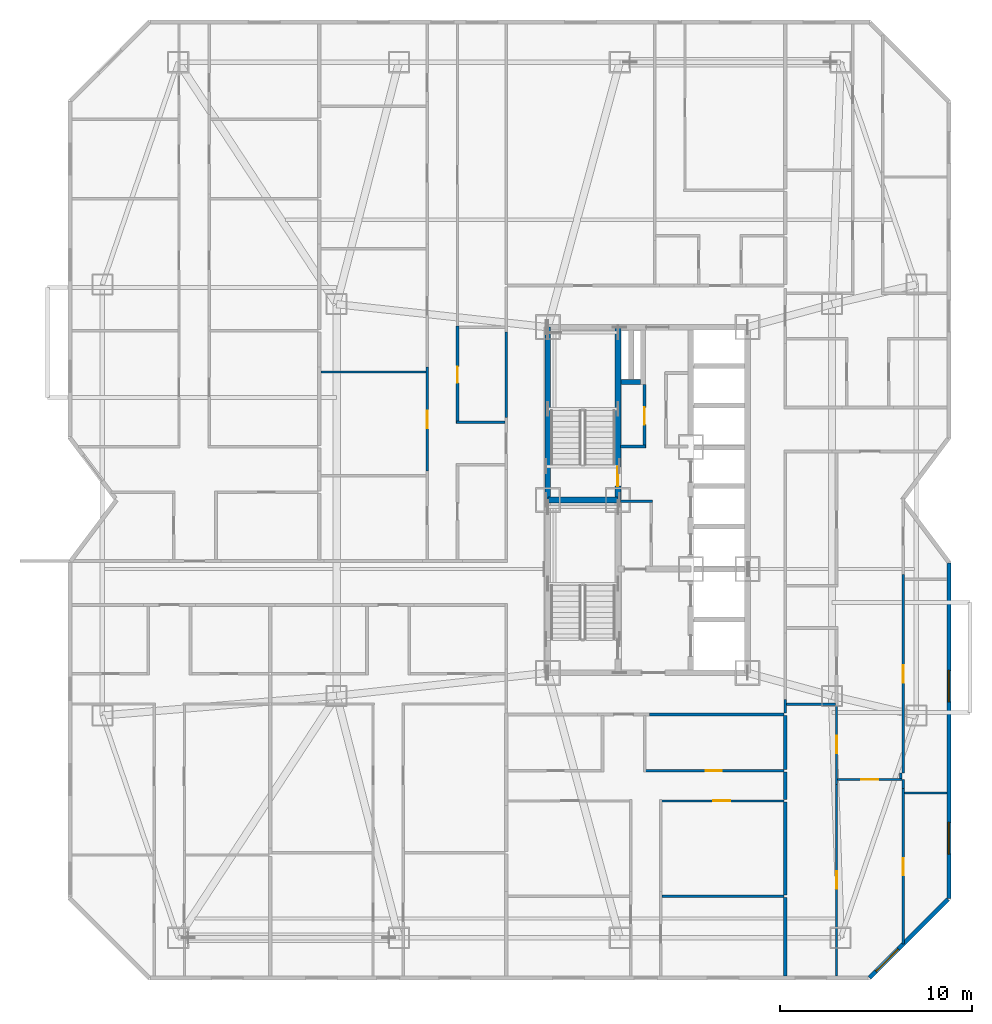
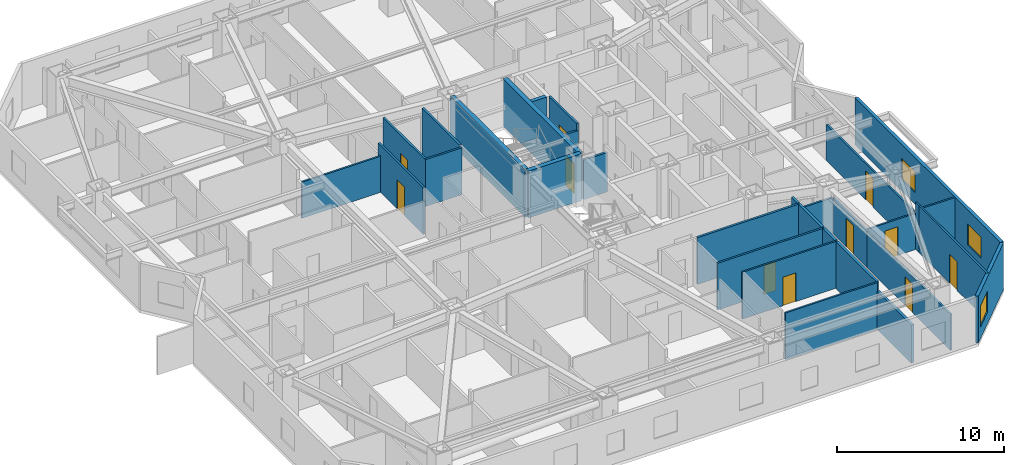
# One storey, part 9 of 14: 32 walls, 11 doors, 3 windows, 14 openings.
"""IFC4 building model written with IfcOpenShell, lengths in metres."""

from ifc_helpers import new_model, si_unit, direction, frame, frame_2d, origin, place, context, subcontext, project, spatial, rectangle, extrude, material, layer, layer_set, type_object, element, fill, save


model = new_model("IFC4")

# Units and contexts
model_context = context("Model", 3, precision=1e-05, world=origin(), true_north=direction((0.0, 1.0)))
body_context = subcontext(model_context, "Body", "Model", "MODEL_VIEW")
ifc_project = project(units=[si_unit("LENGTHUNIT", "METRE"), si_unit("AREAUNIT", "SQUARE_METRE"), si_unit("VOLUMEUNIT", "CUBIC_METRE"), si_unit("PLANEANGLEUNIT", "RADIAN"), si_unit("MASSUNIT", "GRAM", prefix="KILO")], contexts=[model_context])

# Site, building, storey
site_placement = place(None, origin())
site = spatial("IfcSite", under=ifc_project, at=site_placement, CompositionType="ELEMENT")
building_placement = place(site_placement, origin())
building = spatial("IfcBuilding", under=site, at=building_placement, Name="Khamvora Tower", CompositionType="ELEMENT")
storey_placement = place(building_placement, frame((0.0, 0.0, 51.550048828125)))
storey = spatial("IfcBuildingStorey", under=building, at=storey_placement, Name="L12", CompositionType="ELEMENT", Elevation=51.550048828125)

# Wall
ifc_material_1 = material(Name="Concrete C50/60", Category="concrete")
ifc_layer_1 = layer(ifc_material_1, 0.300048828125)
ifc_layer_set_1 = layer_set([ifc_layer_1], Name="Concrete C50/60")
wall_type_1 = type_object("IfcWallType", Name="WAL-CORE-300", PredefinedType="SHEAR", material=ifc_layer_set_1)
wall_1_placement = place(storey_placement, frame((29.0, 28.0, 0.0), z_axis=(0.0, 0.0, 1.0), x_axis=(0.0, 1.0, 0.0)))
element("IfcWall", 1, at=wall_1_placement, inside=storey, type_object=wall_type_1, Name="L12 central core west north wall", PredefinedType="SHEAR", context=body_context, shape_type="SweptSolid", body=[
    extrude(rectangle(XDim=9.0, YDim=0.300048828125, at=frame_2d((4.5, 0.0))), origin(), (0.0, 0.0, 1.0), 3.429931640625),
])

# Wall, opening, door
wall_2_placement = place(storey_placement, frame((32.64990234375, 28.0, 0.0), z_axis=(0.0, 0.0, 1.0), x_axis=(0.0, 1.0, 0.0)))
wall_2 = element("IfcWall", 2, at=wall_2_placement, inside=storey, type_object=wall_type_1, Name="L12 central core stair north spine wall", PredefinedType="SHEAR", context=body_context, shape_type="SweptSolid", body=[
    extrude(rectangle(XDim=9.0, YDim=0.300048828125, at=frame_2d((4.5, 0.0))), origin(), (0.0, 0.0, 1.0), 3.429931640625),
])
opening_1_placement = place(wall_2_placement, frame((0.719970703125, 0.0, 0.0)))
opening_1 = element("IfcOpeningElement", 3, at=opening_1_placement, cuts=wall_2, Name="Opening D-ST1", PredefinedType="OPENING", context=body_context, shape_type="SweptSolid", body=[
    extrude(rectangle(XDim=1.0, YDim=2.14990234375, at=frame_2d((0.5, 1.074951171875))), frame((0.0, 0.159912109375, 0.0), z_axis=(0.0, -1.0, 0.0), x_axis=(1.0, 0.0, 0.0)), (0.0, 0.0, 1.0), 0.320068359375),
])
ifc_material_2 = material(Name="Powder-Coated Steel and Hardwood Leaf", Category="steel")
door_type_1 = type_object("IfcDoorType", Name="DOR-STAIR-1000", OperationType="NOTDEFINED", PredefinedType="DOOR", material=ifc_material_2)
door_1_placement = place(opening_1_placement, origin())
door_1 = element("IfcDoor", 4, at=door_1_placement, inside=storey, type_object=door_type_1, Name="L12 exit stair ST-02 fire door", OperationType="SINGLE_SWING_RIGHT", OverallHeight=2.14990234375, OverallWidth=1.0, PredefinedType="DOOR", context=body_context, shape_type="SweptSolid", body=[
    extrude(rectangle(XDim=1.0, YDim=2.14990234375, at=frame_2d((0.5, 1.074951171875))), frame((0.0, 0.02490234375, 0.0), z_axis=(0.0, -1.0, 0.0), x_axis=(1.0, 0.0, 0.0)), (0.0, 0.0, 1.0), 0.050048828125),
])
fill(opening_1, door_1)

# Walls
wall_3_placement = place(storey_placement, frame((29.0, 28.0, 0.0), z_axis=(0.0, 0.0, 1.0), x_axis=(1.0, 0.0, 0.0)))
element("IfcWall", 5, at=wall_3_placement, inside=storey, type_object=wall_type_1, Name="L12 central core stair cross wall", PredefinedType="SHEAR", context=body_context, shape_type="SweptSolid", body=[
    extrude(rectangle(XDim=3.64990234375, YDim=0.300048828125, at=frame_2d((1.824951171875, 0.0))), origin(), (0.0, 0.0, 1.0), 3.429931640625),
])
ifc_material_3 = material(Name="Fire-Rated Drywall and Steel Stud", Category="steel")
ifc_layer_2 = layer(ifc_material_3, 0.14990234375)
ifc_layer_set_2 = layer_set([ifc_layer_2], Name="Fire-Rated Drywall and Steel Stud")
wall_type_2 = type_object("IfcWallType", Name="WAL-CORR-150", PredefinedType="STANDARD", material=ifc_layer_set_2)
wall_4_placement = place(storey_placement, frame((32.7939453125, 30.784912109375, 0.0), z_axis=(0.0, 0.0, 1.0), x_axis=(1.0, 0.0, 0.0)))
element("IfcWall", 6, at=wall_4_placement, inside=storey, type_object=wall_type_2, Name="L12 interior partition wall 004", PredefinedType="STANDARD", context=body_context, shape_type="SweptSolid", body=[
    extrude(rectangle(XDim=1.30615234375, YDim=0.14990234375, at=frame_2d((0.653076171875, 0.0))), origin(), (0.0, 0.0, 1.0), 2.886962890625),
])

# Wall, opening, door
wall_5_placement = place(storey_placement, frame((34.034912109375, 30.719970703125, 0.0), z_axis=(0.0, 0.0, 1.0), x_axis=(0.0, 1.0, 0.0)))
wall_5 = element("IfcWall", 7, at=wall_5_placement, inside=storey, type_object=wall_type_2, Name="L12 interior partition wall 005", PredefinedType="STANDARD", context=body_context, shape_type="SweptSolid", body=[
    extrude(rectangle(XDim=3.300048828125, YDim=0.14990234375, at=frame_2d((1.64990234375, 0.0))), origin(), (0.0, 0.0, 1.0), 3.429931640625),
])
opening_2_placement = place(wall_5_placement, frame((1.199951171875, 0.0, 0.0)))
opening_2 = element("IfcOpeningElement", 8, at=opening_2_placement, cuts=wall_5, Name="Opening D-RM1", PredefinedType="OPENING", context=body_context, shape_type="SweptSolid", body=[
    extrude(rectangle(XDim=0.89990234375, YDim=2.10009765625, at=frame_2d((0.449951171875, 1.050048828125))), frame((0.0, 0.0849609375, 0.0), z_axis=(0.0, -1.0, 0.0), x_axis=(1.0, 0.0, 0.0)), (0.0, 0.0, 1.0), 0.169921875),
])
door_type_2 = type_object("IfcDoorType", Name="DOR-ROOM-900", OperationType="NOTDEFINED", PredefinedType="DOOR", material=ifc_material_2)
door_2_placement = place(opening_2_placement, origin())
door_2 = element("IfcDoor", 9, at=door_2_placement, inside=storey, type_object=door_type_2, Name="L12 interior door PLL-CS2", OperationType="SINGLE_SWING_LEFT", OverallHeight=2.10009765625, OverallWidth=0.89990234375, PredefinedType="DOOR", context=body_context, shape_type="SweptSolid", body=[
    extrude(rectangle(XDim=0.89990234375, YDim=2.10009765625, at=frame_2d((0.449951171875, 1.050048828125))), frame((0.0, 0.02490234375, 0.0), z_axis=(0.0, -1.0, 0.0), x_axis=(1.0, 0.0, 0.0)), (0.0, 0.0, 1.0), 0.050048828125),
])
fill(opening_2, door_2)

# Walls
wall_6_placement = place(storey_placement, frame((34.449951171875, 27.93505859375, 0.0), z_axis=(0.0, 0.0, 1.0), x_axis=(-1.0, 0.0, 0.0)))
element("IfcWall", 10, at=wall_6_placement, inside=storey, type_object=wall_type_2, Name="L12 interior partition wall 007", PredefinedType="STANDARD", context=body_context, shape_type="SweptSolid", body=[
    extrude(rectangle(XDim=1.656005859375, YDim=0.14990234375, at=frame_2d((0.828125, 0.0))), origin(), (0.0, 0.0, 1.0), 2.886962890625),
])
wall_7_placement = place(storey_placement, frame((26.8349609375, 32.2900390625, 0.0), z_axis=(0.0, 0.0, 1.0), x_axis=(0.0, 1.0, 0.0)))
element("IfcWall", 11, at=wall_7_placement, inside=storey, type_object=wall_type_2, Name="L12 interior partition wall 024", PredefinedType="STANDARD", context=body_context, shape_type="SweptSolid", body=[
    extrude(rectangle(XDim=4.467041015625, YDim=0.14990234375, at=frame_2d((2.2333984375, 0.0))), origin(), (0.0, 0.0, 1.0), 3.429931640625),
])
wall_8_placement = place(storey_placement, frame((41.300048828125, 16.8349609375, 0.0), z_axis=(0.0, 0.0, 1.0), x_axis=(-1.0, 0.0, 0.0)))
element("IfcWall", 12, at=wall_8_placement, inside=storey, type_object=wall_type_2, Name="L12 interior partition wall 030", PredefinedType="STANDARD", context=body_context, shape_type="SweptSolid", body=[
    extrude(rectangle(XDim=7.0009765625, YDim=0.14990234375, at=frame_2d((3.50048828125, 0.0))), origin(), (0.0, 0.0, 1.0), 3.429931640625),
])
wall_9_placement = place(storey_placement, frame((41.364990234375, 17.617919921875, 0.0), z_axis=(0.0, 0.0, 1.0), x_axis=(0.0, -1.0, 0.0)))
element("IfcWall", 13, at=wall_9_placement, inside=storey, type_object=wall_type_2, Name="L12 interior partition wall 034", PredefinedType="STANDARD", context=body_context, shape_type="SweptSolid", body=[
    extrude(rectangle(XDim=0.718017578125, YDim=0.14990234375, at=frame_2d((0.35888671875, 0.0))), origin(), (0.0, 0.0, 1.0), 3.429931640625),
])
ifc_material_4 = material(Name="Acoustic Double-Stud Fire Wall", Category="gypsum")
ifc_layer_3 = layer(ifc_material_4, 0.179931640625)
ifc_layer_set_3 = layer_set([ifc_layer_3], Name="Acoustic Double-Stud Fire Wall")
wall_type_3 = type_object("IfcWallType", Name="WAL-CORR-180", PredefinedType="STANDARD", material=ifc_layer_set_3)
wall_10_placement = place(storey_placement, frame((41.364990234375, 13.841064453125, 0.0), z_axis=(0.0, 0.0, 1.0), x_axis=(0.0, -1.0, 0.0)))
element("IfcWall", 14, at=wall_10_placement, inside=storey, type_object=wall_type_3, Name="L12 interior partition wall 137", PredefinedType="STANDARD", context=body_context, shape_type="SweptSolid", body=[
    extrude(rectangle(XDim=1.449951171875, YDim=0.179931640625, at=frame_2d((0.72509765625, 0.0))), origin(), (0.0, 0.0, 1.0), 3.429931640625),
])
wall_11_placement = place(storey_placement, frame((41.364990234375, 16.77001953125, 0.0), z_axis=(0.0, 0.0, 1.0), x_axis=(0.0, -1.0, 0.0)))
element("IfcWall", 15, at=wall_11_placement, inside=storey, type_object=wall_type_3, Name="L12 interior partition wall 138", PredefinedType="STANDARD", context=body_context, shape_type="SweptSolid", body=[
    extrude(rectangle(XDim=2.799072265625, YDim=0.179931640625, at=frame_2d((1.3994140625, 0.0))), origin(), (0.0, 0.0, 1.0), 3.429931640625),
])
wall_12_placement = place(storey_placement, frame((41.364990234375, 7.2958984375, 0.0), z_axis=(0.0, 0.0, 1.0), x_axis=(0.0, -1.0, 0.0)))
element("IfcWall", 16, at=wall_12_placement, inside=storey, type_object=wall_type_3, Name="L12 interior partition wall 141", PredefinedType="STANDARD", context=body_context, shape_type="SweptSolid", body=[
    extrude(rectangle(XDim=4.083984375, YDim=0.179931640625, at=frame_2d((2.0419921875, 0.0))), origin(), (0.0, 0.0, 1.0), 2.802978515625),
])
wall_13_placement = place(storey_placement, frame((41.364990234375, 12.260986328125, 0.0), z_axis=(0.0, 0.0, 1.0), x_axis=(0.0, -1.0, 0.0)))
element("IfcWall", 17, at=wall_13_placement, inside=storey, type_object=wall_type_3, Name="L12 interior partition wall 142", PredefinedType="STANDARD", context=body_context, shape_type="SweptSolid", body=[
    extrude(rectangle(XDim=4.8349609375, YDim=0.179931640625, at=frame_2d((2.41748046875, 0.0))), origin(), (0.0, 0.0, 1.0), 3.429931640625),
])

# Wall, openings, windows
ifc_material_5 = material(Name="Precast concrete C40/50", Category="concrete")
ifc_layer_4 = layer(ifc_material_5, 0.219970703125)
ifc_layer_set_4 = layer_set([ifc_layer_4], Name="Precast concrete C40/50")
wall_type_4 = type_object("IfcWallType", Name="WAL-EXT-220", PredefinedType="STANDARD", material=ifc_layer_set_4)
wall_14_placement = place(storey_placement, frame((49.889892578125, 24.70703125, 0.0), z_axis=(0.0, 0.0, 1.0), x_axis=(0.0, -1.0, 0.0)))
wall_14 = element("IfcWall", 18, at=wall_14_placement, inside=storey, type_object=wall_type_4, Name="L12 exterior facade wall 12.1", PredefinedType="STANDARD", context=body_context, shape_type="SweptSolid", body=[
    extrude(rectangle(XDim=17.4609375, YDim=0.219970703125, at=frame_2d((8.73046875, 0.0))), origin(), (0.0, 0.0, 1.0), 3.429931640625),
])
opening_3_placement = place(wall_14_placement, frame((13.4990234375, 0.0, 0.85009765625)))
opening_3 = element("IfcOpeningElement", 19, at=opening_3_placement, cuts=wall_14, Name="Opening WN-06", PredefinedType="OPENING", context=body_context, shape_type="SweptSolid", body=[
    extrude(rectangle(XDim=1.64990234375, YDim=1.550048828125, at=frame_2d((0.824951171875, 0.77490234375))), frame((0.0, 0.119873046875, 0.0), z_axis=(0.0, -1.0, 0.0), x_axis=(1.0, 0.0, 0.0)), (0.0, 0.0, 1.0), 0.239990234375),
])
opening_4_placement = place(wall_14_placement, frame((5.575927734375, 0.0, 0.85009765625)))
opening_4 = element("IfcOpeningElement", 20, at=opening_4_placement, cuts=wall_14, Name="Opening WN-06", PredefinedType="OPENING", context=body_context, shape_type="SweptSolid", body=[
    extrude(rectangle(XDim=1.64990234375, YDim=1.550048828125, at=frame_2d((0.824951171875, 0.77490234375))), frame((0.0, 0.119873046875, 0.0), z_axis=(0.0, -1.0, 0.0), x_axis=(1.0, 0.0, 0.0)), (0.0, 0.0, 1.0), 0.239990234375),
])
ifc_material_6 = material(Name="Low-E Laminated Double Glazing", Category="glass")
window_type = type_object("IfcWindowType", Name="WIN-VIS-1650x1550", PartitioningType="SINGLE_PANEL", PredefinedType="WINDOW", material=ifc_material_6)
window_1_placement = place(opening_3_placement, origin())
window_1 = element("IfcWindow", 21, at=window_1_placement, inside=storey, type_object=window_type, Name="L12 vision window 12.1.01", OverallHeight=1.550048828125, OverallWidth=1.64990234375, PartitioningType="SINGLE_PANEL", PredefinedType="WINDOW", context=body_context, shape_type="SweptSolid", body=[
    extrude(rectangle(XDim=1.64990234375, YDim=1.550048828125, at=frame_2d((0.824951171875, 0.77490234375))), frame((0.0, 0.030029296875, 0.0), z_axis=(0.0, -1.0, 0.0), x_axis=(1.0, 0.0, 0.0)), (0.0, 0.0, 1.0), 0.06005859375),
])
fill(opening_3, window_1)
window_2_placement = place(opening_4_placement, origin())
window_2 = element("IfcWindow", 22, at=window_2_placement, inside=storey, type_object=window_type, Name="L12 vision window 12.1.02", OverallHeight=1.550048828125, OverallWidth=1.64990234375, PartitioningType="SINGLE_PANEL", PredefinedType="WINDOW", context=body_context, shape_type="SweptSolid", body=[
    extrude(rectangle(XDim=1.64990234375, YDim=1.550048828125, at=frame_2d((0.824951171875, 0.77490234375))), frame((0.0, 0.030029296875, 0.0), z_axis=(0.0, -1.0, 0.0), x_axis=(1.0, 0.0, 0.0)), (0.0, 0.0, 1.0), 0.06005859375),
])
fill(opening_4, window_2)

# Wall, opening, window
wall_15_placement = place(storey_placement, frame((49.840087890625, 7.196044921875, 0.0), z_axis=(0.0, 0.0, 1.0), x_axis=(-0.707127905562, -0.70708565618, 0.0)))
wall_15 = element("IfcWall", 23, at=wall_15_placement, inside=storey, type_object=wall_type_4, Name="L12 exterior facade wall 13.1", PredefinedType="STANDARD", context=body_context, shape_type="SweptSolid", body=[
    extrude(rectangle(XDim=5.778564453125, YDim=0.219970703125, at=frame_2d((2.88916015625, 0.0))), origin(), (0.0, 0.0, 1.0), 3.429931640625),
])
opening_5_placement = place(wall_15_placement, frame((3.65087890625, 0.0, 0.85009765625)))
opening_5 = element("IfcOpeningElement", 24, at=opening_5_placement, cuts=wall_15, Name="Opening WN-06", PredefinedType="OPENING", context=body_context, shape_type="SweptSolid", body=[
    extrude(rectangle(XDim=1.64990234375, YDim=1.550048828125, at=frame_2d((0.824951171875, 0.77490234375))), frame((0.0, 0.119873046875, 0.0), z_axis=(0.0, -1.0, 0.0), x_axis=(1.0, 0.0, 0.0)), (0.0, 0.0, 1.0), 0.239990234375),
])
window_3_placement = place(opening_5_placement, origin())
window_3 = element("IfcWindow", 25, at=window_3_placement, inside=storey, type_object=window_type, Name="L12 vision window 13.1.01", OverallHeight=1.550048828125, OverallWidth=1.64990234375, PartitioningType="SINGLE_PANEL", PredefinedType="WINDOW", context=body_context, shape_type="SweptSolid", body=[
    extrude(rectangle(XDim=1.64990234375, YDim=1.550048828125, at=frame_2d((0.824951171875, 0.77490234375))), frame((0.0, 0.030029296875, 0.0), z_axis=(0.0, -1.0, 0.0), x_axis=(1.0, 0.0, 0.0)), (0.0, 0.0, 1.0), 0.06005859375),
])
fill(opening_5, window_3)

# Wall, opening, door
ifc_material_7 = material(Name="Gypsum Plasterboard Partition", Category="gypsum")
ifc_layer_5 = layer(ifc_material_7, 0.1201171875)
ifc_layer_set_5 = layer_set([ifc_layer_5], Name="Gypsum Plasterboard Partition")
wall_type_5 = type_object("IfcWallType", Name="WAL-PART-120", PredefinedType="PARTITIONING", material=ifc_layer_set_5)
wall_16_placement = place(storey_placement, frame((22.717041015625, 29.51904296875, 0.0), z_axis=(0.0, 0.0, 1.0), x_axis=(0.0, 1.0, 0.0)))
wall_16 = element("IfcWall", 26, at=wall_16_placement, inside=storey, type_object=wall_type_5, Name="L12 interior partition wall 119", PredefinedType="PARTITIONING", context=body_context, shape_type="SweptSolid", body=[
    extrude(rectangle(XDim=5.39990234375, YDim=0.1201171875, at=frame_2d((2.699951171875, 0.0))), origin(), (0.0, 0.0, 1.0), 3.429931640625),
])
opening_6_placement = place(wall_16_placement, frame((2.22900390625, 0.0, 0.0)))
opening_6 = element("IfcOpeningElement", 27, at=opening_6_placement, cuts=wall_16, Name="Opening D-RM1", PredefinedType="OPENING", context=body_context, shape_type="SweptSolid", body=[
    extrude(rectangle(XDim=0.89990234375, YDim=2.10009765625, at=frame_2d((0.449951171875, 1.050048828125))), frame((0.0, 0.070068359375, 0.0), z_axis=(0.0, -1.0, 0.0), x_axis=(1.0, 0.0, 0.0)), (0.0, 0.0, 1.0), 0.14013671875),
])
door_3_placement = place(opening_6_placement, origin())
door_3 = element("IfcDoor", 28, at=door_3_placement, inside=storey, type_object=door_type_2, Name="L12 interior door 12WCH-12WCR2", OperationType="SINGLE_SWING_RIGHT", OverallHeight=2.10009765625, OverallWidth=0.89990234375, PredefinedType="DOOR", context=body_context, shape_type="SweptSolid", body=[
    extrude(rectangle(XDim=0.89990234375, YDim=2.10009765625, at=frame_2d((0.449951171875, 1.050048828125))), frame((0.0, 0.02490234375, 0.0), z_axis=(0.0, -1.0, 0.0), x_axis=(1.0, 0.0, 0.0)), (0.0, 0.0, 1.0), 0.050048828125),
])
fill(opening_6, door_3)

# Wall
wall_17_placement = place(storey_placement, frame((17.18701171875, 34.669921875, 0.0), z_axis=(0.0, 0.0, 1.0), x_axis=(1.0, 0.0, 0.0)))
element("IfcWall", 29, at=wall_17_placement, inside=storey, type_object=wall_type_5, Name="L12 interior partition wall 124", PredefinedType="PARTITIONING", context=body_context, shape_type="SweptSolid", body=[
    extrude(rectangle(XDim=5.47607421875, YDim=0.1201171875, at=frame_2d((2.738037109375, 0.0))), origin(), (0.0, 0.0, 1.0), 2.64697265625),
])

# Wall, opening, door
wall_18_placement = place(storey_placement, frame((41.300048828125, 12.325927734375, 0.0), z_axis=(0.0, 0.0, 1.0), x_axis=(-1.0, 0.0, 0.0)))
wall_18 = element("IfcWall", 30, at=wall_18_placement, inside=storey, type_object=wall_type_5, Name="L12 interior partition wall 135", PredefinedType="PARTITIONING", context=body_context, shape_type="SweptSolid", body=[
    extrude(rectangle(XDim=6.47998046875, YDim=0.1201171875, at=frame_2d((3.239990234375, 0.0))), origin(), (0.0, 0.0, 1.0), 3.429931640625),
])
opening_7_placement = place(wall_18_placement, frame((2.7900390625, 0.0, 0.0)))
opening_7 = element("IfcOpeningElement", 31, at=opening_7_placement, cuts=wall_18, Name="Opening D-RM1", PredefinedType="OPENING", context=body_context, shape_type="SweptSolid", body=[
    extrude(rectangle(XDim=0.89990234375, YDim=2.10009765625, at=frame_2d((0.449951171875, 1.050048828125))), frame((0.0, 0.070068359375, 0.0), z_axis=(0.0, -1.0, 0.0), x_axis=(1.0, 0.0, 0.0)), (0.0, 0.0, 1.0), 0.14013671875),
])
door_4_placement = place(opening_7_placement, origin())
door_4 = element("IfcDoor", 32, at=door_4_placement, inside=storey, type_object=door_type_2, Name="L12 interior door 12SAH-12SAR4", OperationType="SINGLE_SWING_RIGHT", OverallHeight=2.10009765625, OverallWidth=0.89990234375, PredefinedType="DOOR", context=body_context, shape_type="SweptSolid", body=[
    extrude(rectangle(XDim=0.89990234375, YDim=2.10009765625, at=frame_2d((0.449951171875, 1.050048828125))), frame((0.0, 0.02490234375, 0.0), z_axis=(0.0, -1.0, 0.0), x_axis=(1.0, 0.0, 0.0)), (0.0, 0.0, 1.0), 0.050048828125),
])
fill(opening_7, door_4)

# Wall
wall_19_placement = place(storey_placement, frame((34.93896484375, 7.361083984375, 0.0), z_axis=(0.0, 0.0, 1.0), x_axis=(1.0, 0.0, 0.0)))
element("IfcWall", 33, at=wall_19_placement, inside=storey, type_object=wall_type_5, Name="L12 interior partition wall 140", PredefinedType="PARTITIONING", context=body_context, shape_type="SweptSolid", body=[
    extrude(rectangle(XDim=6.361083984375, YDim=0.1201171875, at=frame_2d((3.1806640625, 0.0))), origin(), (0.0, 0.0, 1.0), 3.429931640625),
])

# Wall, opening, door
wall_20_placement = place(storey_placement, frame((44.0380859375, 17.303955078125, 0.0), z_axis=(0.0, 0.0, 1.0), x_axis=(0.0, -1.0, 0.0)))
wall_20 = element("IfcWall", 34, at=wall_20_placement, inside=storey, type_object=wall_type_5, Name="L12 interior partition wall 153", PredefinedType="PARTITIONING", context=body_context, shape_type="SweptSolid", body=[
    extrude(rectangle(XDim=4.11083984375, YDim=0.1201171875, at=frame_2d((2.055419921875, 0.0))), origin(), (0.0, 0.0, 1.0), 2.64697265625),
])
opening_8_placement = place(wall_20_placement, frame((1.5849609375, 0.0, 0.0)))
opening_8 = element("IfcOpeningElement", 35, at=opening_8_placement, cuts=wall_20, Name="Opening D-RM1", PredefinedType="OPENING", context=body_context, shape_type="SweptSolid", body=[
    extrude(rectangle(XDim=0.89990234375, YDim=2.10009765625, at=frame_2d((0.449951171875, 1.050048828125))), frame((0.0, 0.070068359375, 0.0), z_axis=(0.0, -1.0, 0.0), x_axis=(1.0, 0.0, 0.0)), (0.0, 0.0, 1.0), 0.14013671875),
])
door_5_placement = place(opening_8_placement, origin())
door_5 = element("IfcDoor", 36, at=door_5_placement, inside=storey, type_object=door_type_2, Name="L12 interior door 12EAW1-12EAH", OperationType="SINGLE_SWING_RIGHT", OverallHeight=2.10009765625, OverallWidth=0.89990234375, PredefinedType="DOOR", context=body_context, shape_type="SweptSolid", body=[
    extrude(rectangle(XDim=0.89990234375, YDim=2.10009765625, at=frame_2d((0.449951171875, 1.050048828125))), frame((0.0, 0.02490234375, 0.0), z_axis=(0.0, -1.0, 0.0), x_axis=(1.0, 0.0, 0.0)), (0.0, 0.0, 1.0), 0.050048828125),
])
fill(opening_8, door_5)

wall_21_placement = place(storey_placement, frame((44.0380859375, 13.193115234375, 0.0), z_axis=(0.0, 0.0, 1.0), x_axis=(0.0, -1.0, 0.0)))
wall_21 = element("IfcWall", 37, at=wall_21_placement, inside=storey, type_object=wall_type_5, Name="L12 interior partition wall 154", PredefinedType="PARTITIONING", context=body_context, shape_type="SweptSolid", body=[
    extrude(rectangle(XDim=9.981201171875, YDim=0.1201171875, at=frame_2d((4.99072265625, 0.0))), origin(), (0.0, 0.0, 1.0), 2.64697265625),
])
opening_9_placement = place(wall_21_placement, frame((4.5400390625, 0.0, 0.0)))
opening_9 = element("IfcOpeningElement", 38, at=opening_9_placement, cuts=wall_21, Name="Opening D-RM1", PredefinedType="OPENING", context=body_context, shape_type="SweptSolid", body=[
    extrude(rectangle(XDim=0.89990234375, YDim=2.10009765625, at=frame_2d((0.449951171875, 1.050048828125))), frame((0.0, 0.070068359375, 0.0), z_axis=(0.0, -1.0, 0.0), x_axis=(1.0, 0.0, 0.0)), (0.0, 0.0, 1.0), 0.14013671875),
])
door_6_placement = place(opening_9_placement, origin())
door_6 = element("IfcDoor", 39, at=door_6_placement, inside=storey, type_object=door_type_2, Name="L12 interior door 12EAW1-12EAD", OperationType="SINGLE_SWING_LEFT", OverallHeight=2.10009765625, OverallWidth=0.89990234375, PredefinedType="DOOR", context=body_context, shape_type="SweptSolid", body=[
    extrude(rectangle(XDim=0.89990234375, YDim=2.10009765625, at=frame_2d((0.449951171875, 1.050048828125))), frame((0.0, 0.02490234375, 0.0), z_axis=(0.0, -1.0, 0.0), x_axis=(1.0, 0.0, 0.0)), (0.0, 0.0, 1.0), 0.050048828125),
])
fill(opening_9, door_6)

wall_22_placement = place(storey_placement, frame((47.452880859375, 13.44189453125, 0.0), z_axis=(0.0, 0.0, 1.0), x_axis=(-1.0, 0.0, 0.0)))
wall_22 = element("IfcWall", 40, at=wall_22_placement, inside=storey, type_object=wall_type_5, Name="L12 interior partition wall 156", PredefinedType="PARTITIONING", context=body_context, shape_type="SweptSolid", body=[
    extrude(rectangle(XDim=3.36083984375, YDim=0.1201171875, at=frame_2d((1.680419921875, 0.0))), origin(), (0.0, 0.0, 1.0), 2.64697265625),
])
opening_10_placement = place(wall_22_placement, frame((1.23095703125, 0.0, 0.0)))
opening_10 = element("IfcOpeningElement", 41, at=opening_10_placement, cuts=wall_22, Name="Opening D-RM1", PredefinedType="OPENING", context=body_context, shape_type="SweptSolid", body=[
    extrude(rectangle(XDim=0.89990234375, YDim=2.10009765625, at=frame_2d((0.449951171875, 1.050048828125))), frame((0.0, 0.070068359375, 0.0), z_axis=(0.0, -1.0, 0.0), x_axis=(1.0, 0.0, 0.0)), (0.0, 0.0, 1.0), 0.14013671875),
])
door_7_placement = place(opening_10_placement, origin())
door_7 = element("IfcDoor", 42, at=door_7_placement, inside=storey, type_object=door_type_2, Name="L12 interior door 12EAH-12EAD", OperationType="SINGLE_SWING_RIGHT", OverallHeight=2.10009765625, OverallWidth=0.89990234375, PredefinedType="DOOR", context=body_context, shape_type="SweptSolid", body=[
    extrude(rectangle(XDim=0.89990234375, YDim=2.10009765625, at=frame_2d((0.449951171875, 1.050048828125))), frame((0.0, 0.02490234375, 0.0), z_axis=(0.0, -1.0, 0.0), x_axis=(1.0, 0.0, 0.0)), (0.0, 0.0, 1.0), 0.050048828125),
])
fill(opening_10, door_7)

# Wall
wall_23_placement = place(storey_placement, frame((47.387939453125, 13.781982421875, 0.0), z_axis=(0.0, 0.0, 1.0), x_axis=(0.0, -1.0, 0.0)))
element("IfcWall", 43, at=wall_23_placement, inside=storey, type_object=wall_type_5, Name="L12 interior partition wall 157", PredefinedType="PARTITIONING", context=body_context, shape_type="SweptSolid", body=[
    extrude(rectangle(XDim=0.27490234375, YDim=0.1201171875, at=frame_2d((0.137451171875, 0.0))), origin(), (0.0, 0.0, 1.0), 2.802978515625),
])

# Wall, opening, door
wall_24_placement = place(storey_placement, frame((47.51806640625, 24.1259765625, 0.0), z_axis=(0.0, 0.0, 1.0), x_axis=(0.0, -1.0, 0.0)))
wall_24 = element("IfcWall", 44, at=wall_24_placement, inside=storey, type_object=wall_type_5, Name="L12 interior partition wall 162", PredefinedType="PARTITIONING", context=body_context, shape_type="SweptSolid", body=[
    extrude(rectangle(XDim=10.343994140625, YDim=0.1201171875, at=frame_2d((5.171875, 0.0))), origin(), (0.0, 0.0, 1.0), 2.64697265625),
])
opening_11_placement = place(wall_24_placement, frame((4.742919921875, 0.0, 0.0)))
opening_11 = element("IfcOpeningElement", 45, at=opening_11_placement, cuts=wall_24, Name="Opening D-RM1", PredefinedType="OPENING", context=body_context, shape_type="SweptSolid", body=[
    extrude(rectangle(XDim=0.89990234375, YDim=2.10009765625, at=frame_2d((0.449951171875, 1.050048828125))), frame((0.0, 0.070068359375, 0.0), z_axis=(0.0, -1.0, 0.0), x_axis=(1.0, 0.0, 0.0)), (0.0, 0.0, 1.0), 0.14013671875),
])
door_8_placement = place(opening_11_placement, origin())
door_8 = element("IfcDoor", 46, at=door_8_placement, inside=storey, type_object=door_type_2, Name="L12 interior door 12EAH-12EAR2", OperationType="SINGLE_SWING_LEFT", OverallHeight=2.10009765625, OverallWidth=0.89990234375, PredefinedType="DOOR", context=body_context, shape_type="SweptSolid", body=[
    extrude(rectangle(XDim=0.89990234375, YDim=2.10009765625, at=frame_2d((0.449951171875, 1.050048828125))), frame((0.0, 0.02490234375, 0.0), z_axis=(0.0, -1.0, 0.0), x_axis=(1.0, 0.0, 0.0)), (0.0, 0.0, 1.0), 0.050048828125),
])
fill(opening_11, door_8)

wall_25_placement = place(storey_placement, frame((47.51806640625, 12.985107421875, 0.0), z_axis=(0.0, 0.0, 1.0), x_axis=(0.0, -1.0, 0.0)))
wall_25 = element("IfcWall", 47, at=wall_25_placement, inside=storey, type_object=wall_type_5, Name="L12 interior partition wall 164", PredefinedType="PARTITIONING", context=body_context, shape_type="SweptSolid", body=[
    extrude(rectangle(XDim=8.1220703125, YDim=0.1201171875, at=frame_2d((4.06103515625, 0.0))), origin(), (0.0, 0.0, 1.0), 3.429931640625),
])
opening_12_placement = place(wall_25_placement, frame((3.632080078125, 0.0, 0.0)))
opening_12 = element("IfcOpeningElement", 48, at=opening_12_placement, cuts=wall_25, Name="Opening D-RM1", PredefinedType="OPENING", context=body_context, shape_type="SweptSolid", body=[
    extrude(rectangle(XDim=0.89990234375, YDim=2.10009765625, at=frame_2d((0.449951171875, 1.050048828125))), frame((0.0, 0.070068359375, 0.0), z_axis=(0.0, -1.0, 0.0), x_axis=(1.0, 0.0, 0.0)), (0.0, 0.0, 1.0), 0.14013671875),
])
door_9_placement = place(opening_12_placement, origin())
door_9 = element("IfcDoor", 49, at=door_9_placement, inside=storey, type_object=door_type_2, Name="L12 interior door 12EAD-12EAL", OperationType="SINGLE_SWING_LEFT", OverallHeight=2.10009765625, OverallWidth=0.89990234375, PredefinedType="DOOR", context=body_context, shape_type="SweptSolid", body=[
    extrude(rectangle(XDim=0.89990234375, YDim=2.10009765625, at=frame_2d((0.449951171875, 1.050048828125))), frame((0.0, 0.02490234375, 0.0), z_axis=(0.0, -1.0, 0.0), x_axis=(1.0, 0.0, 0.0)), (0.0, 0.0, 1.0), 0.050048828125),
])
fill(opening_12, door_9)

# Walls
wall_26_placement = place(storey_placement, frame((47.51806640625, 13.44189453125, 0.0), z_axis=(0.0, 0.0, 1.0), x_axis=(0.0, -1.0, 0.0)))
element("IfcWall", 50, at=wall_26_placement, inside=storey, type_object=wall_type_5, Name="L12 interior partition wall 165", PredefinedType="PARTITIONING", context=body_context, shape_type="SweptSolid", body=[
    extrude(rectangle(XDim=0.456787109375, YDim=0.1201171875, at=frame_2d((0.228515625, 0.0))), origin(), (0.0, 0.0, 1.0), 3.429931640625),
])
wall_27_placement = place(storey_placement, frame((47.572021484375, 12.735107421875, 0.0), z_axis=(0.0, 0.0, 1.0), x_axis=(1.0, 0.0, 0.0)))
element("IfcWall", 51, at=wall_27_placement, inside=storey, type_object=wall_type_5, Name="L12 interior partition wall 166", PredefinedType="PARTITIONING", context=body_context, shape_type="SweptSolid", body=[
    extrude(rectangle(XDim=2.216064453125, YDim=0.1201171875, at=frame_2d((1.10791015625, 0.0))), origin(), (0.0, 0.0, 1.0), 3.429931640625),
])
ifc_material_8 = material(Name="Concrete C40/50", Category="concrete")
ifc_layer_6 = layer(ifc_material_8, 0.25)
ifc_layer_set_6 = layer_set([ifc_layer_6], Name="Concrete C40/50")
wall_type_6 = type_object("IfcWallType", Name="WAL-PODS-250", PredefinedType="SHEAR", material=ifc_layer_set_6)
wall_28_placement = place(storey_placement, frame((32.803955078125, 34.14990234375, 0.0), z_axis=(0.0, 0.0, 1.0), x_axis=(1.0, 0.0, 0.0)))
element("IfcWall", 52, at=wall_28_placement, inside=storey, type_object=wall_type_6, Name="L12 vertical MEP riser shaft south enclosure wall", PredefinedType="SHEAR", context=body_context, shape_type="SweptSolid", body=[
    extrude(rectangle(XDim=1.02197265625, YDim=0.25, at=frame_2d((0.510986328125, 0.0))), origin(), (0.0, 0.0, 1.0), 3.429931640625),
])

# Wall, opening, door
ifc_material_9 = material(Name="Moisture-Resistant Plasterboard Partition", Category="gypsum")
ifc_layer_7 = layer(ifc_material_9, 0.135009765625)
ifc_layer_set_7 = layer_set([ifc_layer_7], Name="Moisture-Resistant Plasterboard Partition")
wall_type_7 = type_object("IfcWallType", Name="WAL-WET-135", PredefinedType="PARTITIONING", material=ifc_layer_set_7)
wall_29_placement = place(storey_placement, frame((24.297119140625, 37.071044921875, 0.0), z_axis=(0.0, 0.0, 1.0), x_axis=(0.0, -1.0, 0.0)))
wall_29 = element("IfcWall", 53, at=wall_29_placement, inside=storey, type_object=wall_type_7, Name="L12 interior partition wall 114", PredefinedType="PARTITIONING", context=body_context, shape_type="SweptSolid", body=[
    extrude(rectangle(XDim=5.094970703125, YDim=0.135009765625, at=frame_2d((2.54736328125, 0.0))), origin(), (0.0, 0.0, 1.0), 3.429931640625),
])
opening_13_placement = place(wall_29_placement, frame((2.123046875, 0.0, 0.0)))
opening_13 = element("IfcOpeningElement", 54, at=opening_13_placement, cuts=wall_29, Name="Opening D-WC1", PredefinedType="OPENING", context=body_context, shape_type="SweptSolid", body=[
    extrude(rectangle(XDim=0.85009765625, YDim=2.10009765625, at=frame_2d((0.425048828125, 1.050048828125))), frame((0.0, 0.077392578125, 0.0), z_axis=(0.0, -1.0, 0.0), x_axis=(1.0, 0.0, 0.0)), (0.0, 0.0, 1.0), 0.155029296875),
])
door_type_3 = type_object("IfcDoorType", Name="DOR-WET-850", OperationType="NOTDEFINED", PredefinedType="DOOR", material=ifc_material_2)
door_10_placement = place(opening_13_placement, origin())
door_10 = element("IfcDoor", 55, at=door_10_placement, inside=storey, type_object=door_type_3, Name="L12 interior door 12WCH-12WCB", OperationType="SINGLE_SWING_LEFT", OverallHeight=2.10009765625, OverallWidth=0.85009765625, PredefinedType="DOOR", context=body_context, shape_type="SweptSolid", body=[
    extrude(rectangle(XDim=0.85009765625, YDim=2.10009765625, at=frame_2d((0.425048828125, 1.050048828125))), frame((0.0, 0.02490234375, 0.0), z_axis=(0.0, -1.0, 0.0), x_axis=(1.0, 0.0, 0.0)), (0.0, 0.0, 1.0), 0.050048828125),
])
fill(opening_13, door_10)

# Wall
wall_30_placement = place(storey_placement, frame((24.23193359375, 32.041015625, 0.0), z_axis=(0.0, 0.0, 1.0), x_axis=(1.0, 0.0, 0.0)))
element("IfcWall", 56, at=wall_30_placement, inside=storey, type_object=wall_type_7, Name="L12 interior partition wall 115", PredefinedType="PARTITIONING", context=body_context, shape_type="SweptSolid", body=[
    extrude(rectangle(XDim=2.5380859375, YDim=0.135009765625, at=frame_2d((1.26904296875, 0.0))), origin(), (0.0, 0.0, 1.0), 3.429931640625),
])

# Wall, opening, door
wall_31_placement = place(storey_placement, frame((33.985107421875, 13.906005859375, 0.0), z_axis=(0.0, 0.0, 1.0), x_axis=(1.0, 0.0, 0.0)))
wall_31 = element("IfcWall", 57, at=wall_31_placement, inside=storey, type_object=wall_type_7, Name="L12 interior partition wall 130", PredefinedType="PARTITIONING", context=body_context, shape_type="SweptSolid", body=[
    extrude(rectangle(XDim=7.31494140625, YDim=0.135009765625, at=frame_2d((3.657470703125, 0.0))), origin(), (0.0, 0.0, 1.0), 3.429931640625),
])
opening_14_placement = place(wall_31_placement, frame((3.23291015625, 0.0, 0.0)))
opening_14 = element("IfcOpeningElement", 58, at=opening_14_placement, cuts=wall_31, Name="Opening D-RM2", PredefinedType="OPENING", context=body_context, shape_type="SweptSolid", body=[
    extrude(rectangle(XDim=0.85009765625, YDim=2.10009765625, at=frame_2d((0.425048828125, 1.050048828125))), frame((0.0, 0.077392578125, 0.0), z_axis=(0.0, -1.0, 0.0), x_axis=(1.0, 0.0, 0.0)), (0.0, 0.0, 1.0), 0.155029296875),
])
door_type_4 = type_object("IfcDoorType", Name="DOR-ROOM-850", OperationType="NOTDEFINED", PredefinedType="DOOR", material=ifc_material_2)
door_11_placement = place(opening_14_placement, origin())
door_11 = element("IfcDoor", 59, at=door_11_placement, inside=storey, type_object=door_type_4, Name="L12 interior door 12SAH-12SAK", OperationType="SINGLE_SWING_RIGHT", OverallHeight=2.10009765625, OverallWidth=0.85009765625, PredefinedType="DOOR", context=body_context, shape_type="SweptSolid", body=[
    extrude(rectangle(XDim=0.85009765625, YDim=2.10009765625, at=frame_2d((0.425048828125, 1.050048828125))), frame((0.0, 0.02490234375, 0.0), z_axis=(0.0, -1.0, 0.0), x_axis=(1.0, 0.0, 0.0)), (0.0, 0.0, 1.0), 0.050048828125),
])
fill(opening_14, door_11)

# Wall
wall_32_placement = place(storey_placement, frame((41.431884765625, 17.368896484375, 0.0), z_axis=(0.0, 0.0, 1.0), x_axis=(1.0, 0.0, 0.0)))
element("IfcWall", 60, at=wall_32_placement, inside=storey, type_object=wall_type_7, Name="L12 interior partition wall 155", PredefinedType="PARTITIONING", context=body_context, shape_type="SweptSolid", body=[
    extrude(rectangle(XDim=2.541015625, YDim=0.135009765625, at=frame_2d((1.2705078125, 0.0))), origin(), (0.0, 0.0, 1.0), 2.64697265625),
])

save(model, "model.ifc")
